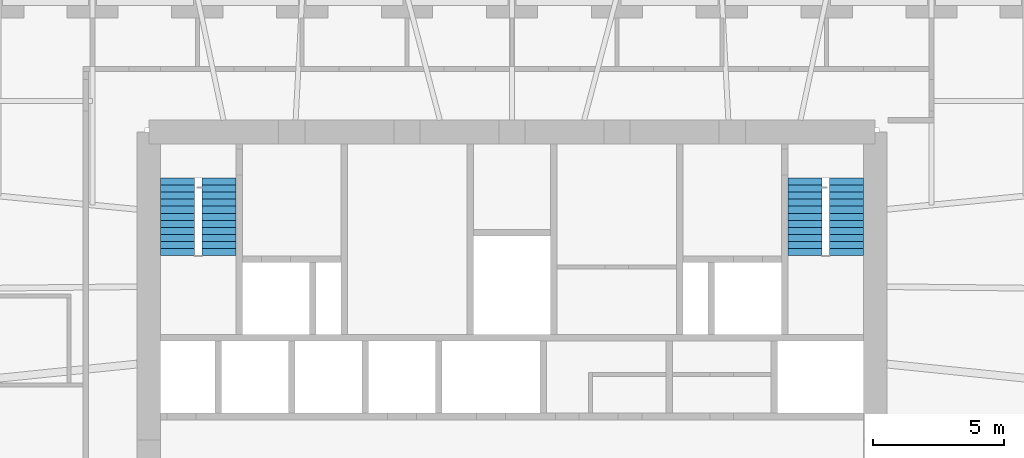
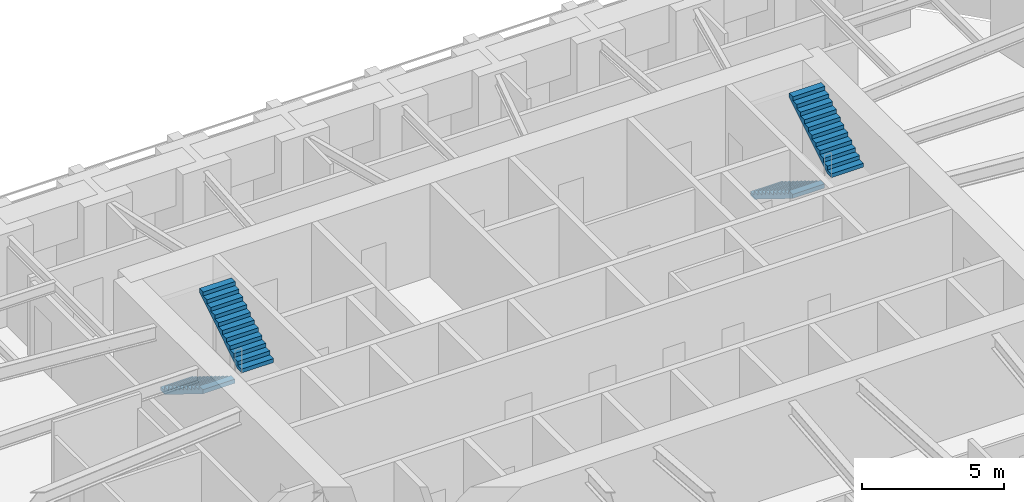
# One storey, part 15 of 18: 4 stair flights, 2 elements without a shape of their own.
"""IFC4 building model written with IfcOpenShell, lengths in metres."""

from ifc_helpers import new_model, si_unit, direction, frame, origin, place, context, subcontext, project, spatial, polyline, outline, extrude, material, type_object, element, aggregate, save


model = new_model("IFC4")

# Units and contexts
model_context = context("Model", 3, precision=1e-05, world=origin(), true_north=direction((0.0, 1.0)))
body_context = subcontext(model_context, "Body", "Model", "MODEL_VIEW")
ifc_project = project(units=[si_unit("LENGTHUNIT", "METRE"), si_unit("AREAUNIT", "SQUARE_METRE"), si_unit("VOLUMEUNIT", "CUBIC_METRE"), si_unit("PLANEANGLEUNIT", "RADIAN"), si_unit("MASSUNIT", "GRAM", prefix="KILO")], contexts=[model_context])

# Site, building, storey
site_placement = place(None, origin())
site = spatial("IfcSite", under=ifc_project, at=site_placement, CompositionType="ELEMENT")
building_placement = place(site_placement, origin())
building = spatial("IfcBuilding", under=site, at=building_placement, Name="Isbrekke Arena Tower", CompositionType="ELEMENT")
storey_placement = place(building_placement, frame((0.0, 0.0, 28.0)))
storey = spatial("IfcBuildingStorey", under=building, at=storey_placement, Name="L04", CompositionType="ELEMENT", Elevation=28.0)

# Stair, stair flights
ifc_material_1 = material(Name="Concrete B45 (C45/55) precast", Category="concrete")
stair_type = type_object("IfcStairType", Name="ST40 STAIR 1300 WIDE, 24 RISERS 167", PredefinedType="HALF_TURN_STAIR", material=ifc_material_1)
stair_1_placement = place(storey_placement, origin())
stair_1 = element("IfcStair", 1, at=stair_1_placement, inside=storey, type_object=stair_type, Name="ST1 stair L04", PredefinedType="HALF_TURN_STAIR")
ifc_material_2 = material(Name="Concrete B45 (C45/55) precast", Category="concrete")
stair_flight_type = type_object("IfcStairFlightType", Name="SF 1300 FLIGHT", PredefinedType="STRAIGHT", material=ifc_material_2)
stair_flight_1_placement = place(storey_placement, frame((-12.75, 22.10009765625, 0.0), z_axis=(0.0, 0.0, 1.0), x_axis=(0.0, -1.0, 0.0)))
stair_flight_1 = element("IfcStairFlight", 2, at=stair_flight_1_placement, type_object=stair_flight_type, Name="ST1 flight 1", NumberOfRisers=12, NumberOfTreads=11, PredefinedType="STRAIGHT", RiserHeight=0.166666667, TreadLength=0.27, context=body_context, shape_type="SweptSolid", body=[
    extrude(outline(polyline([(0.0, 0.0), (0.0, 0.166748046875), (0.27001953125, 0.166748046875), (0.27001953125, 0.333251953125), (0.5400390625, 0.333251953125), (0.5400390625, 0.5), (0.81005859375, 0.5), (0.81005859375, 0.666748046875), (1.080078125, 0.666748046875), (1.080078125, 0.833251953125), (1.35009765625, 0.833251953125), (1.35009765625, 1.0), (1.6201171875, 1.0), (1.6201171875, 1.166748046875), (1.889892578125, 1.166748046875), (1.889892578125, 1.333251953125), (2.159912109375, 1.333251953125), (2.159912109375, 1.5), (2.429931640625, 1.5), (2.429931640625, 1.666748046875), (2.699951171875, 1.666748046875), (2.699951171875, 1.833251953125), (2.969970703125, 1.833251953125), (2.969970703125, 2.0), (2.969970703125, 1.6572265625), (0.285400390625, 0.0), (0.0, 0.0)])), frame((0.0, 0.64990234375, 0.0), z_axis=(0.0, -1.0, 0.0), x_axis=(1.0, 0.0, 0.0)), (0.0, 0.0, 1.0), 1.300048828125),
])
stair_flight_2_placement = place(storey_placement, frame((-11.175048828125, 19.1298828125, 2.0), z_axis=(0.0, 0.0, 1.0), x_axis=(0.0, 1.0, 0.0)))
stair_flight_2 = element("IfcStairFlight", 3, at=stair_flight_2_placement, type_object=stair_flight_type, Name="ST1 flight 2", NumberOfRisers=12, NumberOfTreads=11, PredefinedType="STRAIGHT", RiserHeight=0.166666667, TreadLength=0.27, context=body_context, shape_type="SweptSolid", body=[
    extrude(outline(polyline([(0.0, 0.0), (0.0, 0.166748046875), (0.27001953125, 0.166748046875), (0.27001953125, 0.333251953125), (0.5400390625, 0.333251953125), (0.5400390625, 0.5), (0.81005859375, 0.5), (0.81005859375, 0.666748046875), (1.080078125, 0.666748046875), (1.080078125, 0.833251953125), (1.35009765625, 0.833251953125), (1.35009765625, 1.0), (1.6201171875, 1.0), (1.6201171875, 1.166748046875), (1.889892578125, 1.166748046875), (1.889892578125, 1.333251953125), (2.159912109375, 1.333251953125), (2.159912109375, 1.5), (2.429931640625, 1.5), (2.429931640625, 1.666748046875), (2.699951171875, 1.666748046875), (2.699951171875, 1.833251953125), (2.969970703125, 1.833251953125), (2.969970703125, 2.0), (2.969970703125, 1.6572265625), (0.285400390625, 0.0), (0.0, 0.0)])), frame((0.0, 0.64990234375, 0.0), z_axis=(0.0, -1.0, 0.0), x_axis=(1.0, 0.0, 0.0)), (0.0, 0.0, 1.0), 1.300048828125),
])
aggregate(stair_1, [stair_flight_1, stair_flight_2])

stair_2_placement = place(storey_placement, origin())
stair_2 = element("IfcStair", 4, at=stair_2_placement, inside=storey, type_object=stair_type, Name="ST2 stair L04", PredefinedType="HALF_TURN_STAIR")
stair_flight_3_placement = place(storey_placement, frame((11.175048828125, 22.10009765625, 0.0), z_axis=(0.0, 0.0, 1.0), x_axis=(0.0, -1.0, 0.0)))
stair_flight_3 = element("IfcStairFlight", 5, at=stair_flight_3_placement, type_object=stair_flight_type, Name="ST2 flight 1", NumberOfRisers=12, NumberOfTreads=11, PredefinedType="STRAIGHT", RiserHeight=0.166666667, TreadLength=0.27, context=body_context, shape_type="SweptSolid", body=[
    extrude(outline(polyline([(0.0, 0.0), (0.0, 0.166748046875), (0.27001953125, 0.166748046875), (0.27001953125, 0.333251953125), (0.5400390625, 0.333251953125), (0.5400390625, 0.5), (0.81005859375, 0.5), (0.81005859375, 0.666748046875), (1.080078125, 0.666748046875), (1.080078125, 0.833251953125), (1.35009765625, 0.833251953125), (1.35009765625, 1.0), (1.6201171875, 1.0), (1.6201171875, 1.166748046875), (1.889892578125, 1.166748046875), (1.889892578125, 1.333251953125), (2.159912109375, 1.333251953125), (2.159912109375, 1.5), (2.429931640625, 1.5), (2.429931640625, 1.666748046875), (2.699951171875, 1.666748046875), (2.699951171875, 1.833251953125), (2.969970703125, 1.833251953125), (2.969970703125, 2.0), (2.969970703125, 1.6572265625), (0.285400390625, 0.0), (0.0, 0.0)])), frame((0.0, 0.64990234375, 0.0), z_axis=(0.0, -1.0, 0.0), x_axis=(1.0, 0.0, 0.0)), (0.0, 0.0, 1.0), 1.300048828125),
])
stair_flight_4_placement = place(storey_placement, frame((12.75, 19.1298828125, 2.0), z_axis=(0.0, 0.0, 1.0), x_axis=(0.0, 1.0, 0.0)))
stair_flight_4 = element("IfcStairFlight", 6, at=stair_flight_4_placement, type_object=stair_flight_type, Name="ST2 flight 2", NumberOfRisers=12, NumberOfTreads=11, PredefinedType="STRAIGHT", RiserHeight=0.166666667, TreadLength=0.27, context=body_context, shape_type="SweptSolid", body=[
    extrude(outline(polyline([(0.0, 0.0), (0.0, 0.166748046875), (0.27001953125, 0.166748046875), (0.27001953125, 0.333251953125), (0.5400390625, 0.333251953125), (0.5400390625, 0.5), (0.81005859375, 0.5), (0.81005859375, 0.666748046875), (1.080078125, 0.666748046875), (1.080078125, 0.833251953125), (1.35009765625, 0.833251953125), (1.35009765625, 1.0), (1.6201171875, 1.0), (1.6201171875, 1.166748046875), (1.889892578125, 1.166748046875), (1.889892578125, 1.333251953125), (2.159912109375, 1.333251953125), (2.159912109375, 1.5), (2.429931640625, 1.5), (2.429931640625, 1.666748046875), (2.699951171875, 1.666748046875), (2.699951171875, 1.833251953125), (2.969970703125, 1.833251953125), (2.969970703125, 2.0), (2.969970703125, 1.6572265625), (0.285400390625, 0.0), (0.0, 0.0)])), frame((0.0, 0.64990234375, 0.0), z_axis=(0.0, -1.0, 0.0), x_axis=(1.0, 0.0, 0.0)), (0.0, 0.0, 1.0), 1.300048828125),
])
aggregate(stair_2, [stair_flight_3, stair_flight_4])

save(model, "model.ifc")
